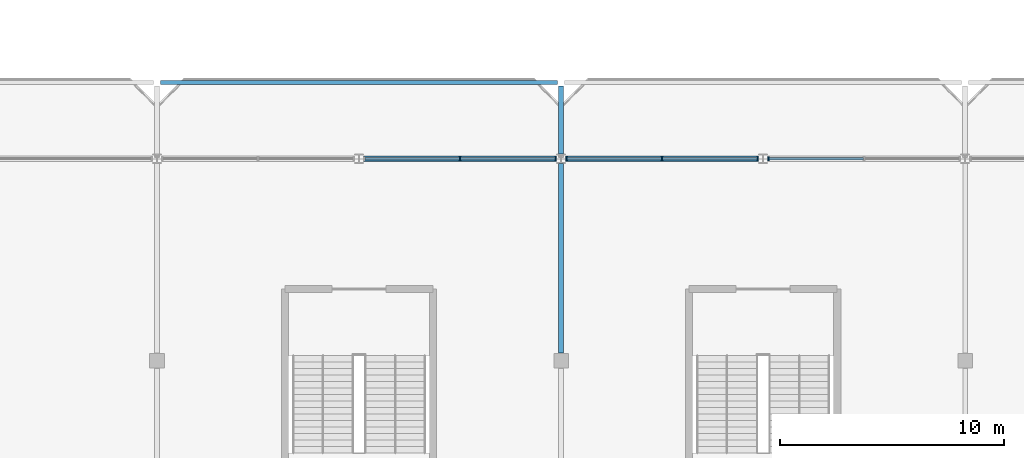
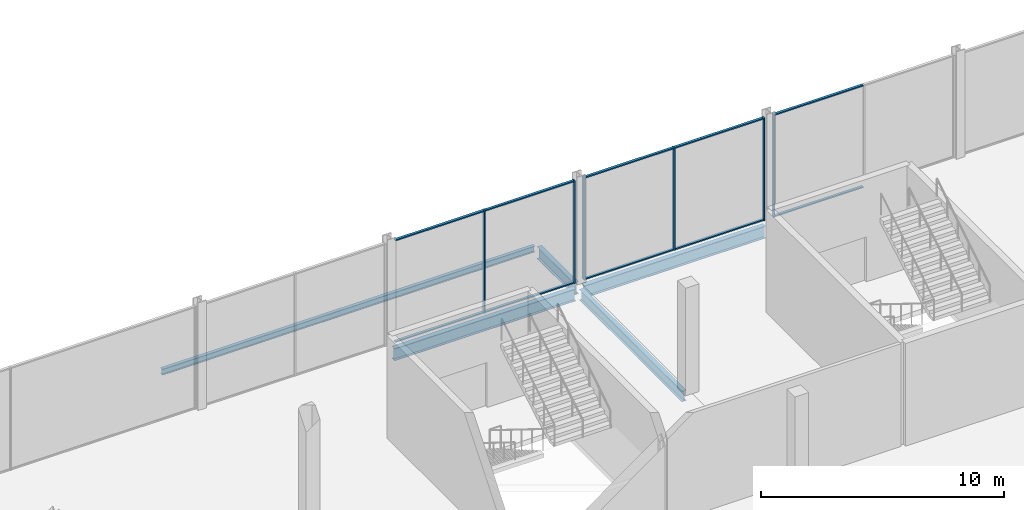
# One storey, part 25 of 113: 16 members, 5 beams, 3 elements without a shape of their own.
"""IFC4 building model written with IfcOpenShell, lengths in metres."""

from ifc_helpers import new_model, si_unit, direction, frame, origin, origin_2d, place, context, subcontext, project, spatial, rectangle, i_section, extrude, material, layer, layer_set, material_profile, profile_set, type_object, element, aggregate, save


model = new_model("IFC4")

# Units and contexts
model_context = context("Model", 3, precision=1e-05, world=origin(), true_north=direction((0.0, 1.0)))
body_context = subcontext(model_context, "Body", "Model", "MODEL_VIEW")
ifc_project = project(units=[si_unit("LENGTHUNIT", "METRE"), si_unit("AREAUNIT", "SQUARE_METRE"), si_unit("VOLUMEUNIT", "CUBIC_METRE"), si_unit("PLANEANGLEUNIT", "RADIAN"), si_unit("MASSUNIT", "GRAM", prefix="KILO")], contexts=[model_context])

# Site, building, storey
site_placement = place(None, origin())
site = spatial("IfcSite", under=ifc_project, at=site_placement, CompositionType="ELEMENT")
building_placement = place(site_placement, origin())
building = spatial("IfcBuilding", under=site, at=building_placement, Name="Kisiwana Market Hall", CompositionType="ELEMENT")
storey_placement = place(building_placement, frame((0.0, 0.0, 6.0)))
storey = spatial("IfcBuildingStorey", under=building, at=storey_placement, Name="L01", CompositionType="ELEMENT", Elevation=6.0)

# Beams
ifc_material_1 = material(Name="Steel S355", Category="steel")
ifc_material_profile_1 = material_profile(ifc_material_1, i_section(OverallWidth=0.2275390625, OverallDepth=0.6025390625, WebThickness=0.010498046875, FlangeThickness=0.014892578125, at=origin_2d()), Name="UB 610x229x101")
ifc_profile_set_1 = profile_set([ifc_material_profile_1], Name="Steel S355")
beam_type_1 = type_object("IfcBeamType", Name="BM-CANT-PROW", PredefinedType="BEAM", material=ifc_profile_set_1)
beam_1_placement = place(storey_placement, frame((99.0, 36.21337890625, -0.501220703125), z_axis=(0.0, 1.0, 0.0), x_axis=(-1.0, 0.0, 0.0)))
element("IfcBeam", 1, at=beam_1_placement, inside=storey, type_object=beam_type_1, Name="Gallery prow girder B-0585", PredefinedType="BEAM", context=body_context, shape_type="SweptSolid", body=[
    extrude(i_section(OverallWidth=0.2275390625, OverallDepth=0.6025390625, WebThickness=0.010498046875, FlangeThickness=0.014892578125, at=origin_2d()), origin(), (0.0, 0.0, 1.0), 3.03662109375),
])
ifc_material_2 = material(Name="Steel S355", Category="steel")
ifc_material_profile_2 = material_profile(ifc_material_2, i_section(OverallWidth=0.209228515625, OverallDepth=0.533203125, WebThickness=0.010009765625, FlangeThickness=0.015625, at=origin_2d()), Name="UB 533x210x92")
ifc_profile_set_2 = profile_set([ifc_material_profile_2], Name="Steel S355")
beam_type_2 = type_object("IfcBeamType", Name="BM-GIRD-UB533", PredefinedType="BEAM", material=ifc_profile_set_2)
beam_2_placement = place(storey_placement, frame((99.0, 27.345947265625, -0.5166015625), z_axis=(0.0, 1.0, 0.0), x_axis=(-1.0, 0.0, 0.0)))
element("IfcBeam", 2, at=beam_2_placement, inside=storey, type_object=beam_type_2, Name="Primary girder B-0375", PredefinedType="BEAM", context=body_context, shape_type="SweptSolid", body=[
    extrude(i_section(OverallWidth=0.209228515625, OverallDepth=0.533203125, WebThickness=0.010009765625, FlangeThickness=0.015625, at=origin_2d()), origin(), (0.0, 0.0, 1.0), 8.440673828125),
])
ifc_material_3 = material(Name="Steel S355", Category="steel")
ifc_material_profile_3 = material_profile(ifc_material_3, i_section(OverallWidth=0.22900390625, OverallDepth=0.6123046875, WebThickness=0.011962890625, FlangeThickness=0.01953125, at=origin_2d()), Name="UB 610x229x125")
ifc_profile_set_3 = profile_set([ifc_material_profile_3], Name="Steel S355")
beam_type_3 = type_object("IfcBeamType", Name="BM-GIRD-UB610H", PredefinedType="BEAM", material=ifc_profile_set_3)
for number, where, z_axis, x_axis, name in (
    (3, (90.201904296875, 36.0, -0.55615234375), (1.0, 0.0, 0.0), (0.0, 1.0, 0.0), "Floor beam B-0492"),
    (4, (99.201904296875, 36.0, -0.55615234375), (1.0, 0.0, 0.0), (0.0, 1.0, 0.0), "Floor beam B-0493"),
):
    element("IfcBeam", number, at=place(storey_placement, frame(where, z_axis=z_axis, x_axis=x_axis)), inside=storey, type_object=beam_type_3, Name=name, PredefinedType="BEAM", context=body_context, shape_type="SweptSolid", body=[
        extrude(i_section(OverallWidth=0.22900390625, OverallDepth=0.6123046875, WebThickness=0.011962890625, FlangeThickness=0.01953125, at=origin_2d()), origin(), (0.0, 0.0, 1.0), 8.59619140625),
    ])
ifc_material_4 = material(Name="Steel S355", Category="steel")
ifc_material_profile_4 = material_profile(ifc_material_4, i_section(OverallWidth=0.1650390625, OverallDepth=0.303466796875, WebThickness=0.006103515625, FlangeThickness=0.01025390625, at=origin_2d()), Name="UB 305x165x40")
ifc_profile_set_4 = profile_set([ifc_material_profile_4], Name="Steel S355")
beam_type_4 = type_object("IfcBeamType", Name="BM-JOIST-UB305", PredefinedType="JOIST", material=ifc_profile_set_4)
beam_3_placement = place(storey_placement, frame((81.159912109375, 39.39990234375, -0.351806640625), z_axis=(1.0, 0.0, 0.0), x_axis=(0.0, 1.0, 0.0)))
element("IfcBeam", 5, at=beam_3_placement, inside=storey, type_object=beam_type_4, Name="Prow edge tie B-0587", PredefinedType="JOIST", context=body_context, shape_type="SweptSolid", body=[
    extrude(i_section(OverallWidth=0.1650390625, OverallDepth=0.303466796875, WebThickness=0.006103515625, FlangeThickness=0.01025390625, at=origin_2d()), origin(), (0.0, 0.0, 1.0), 17.68017578125),
])

# Curtain wall, members
ifc_material_5 = material(Name="Double-glazed solar-control low-E IGU", Category="glass")
ifc_layer = layer(ifc_material_5, 0.159912109375)
ifc_layer_set = layer_set([ifc_layer], Name="CW-FC-N-8100")
curtain_wall_type = type_object("IfcCurtainWallType", Name="CW-FC-N-8100", PredefinedType="USERDEFINED", material=ifc_layer_set)
curtain_wall_1_placement = place(storey_placement, origin())
curtain_wall_1 = element("IfcCurtainWall", 6, at=curtain_wall_1_placement, inside=storey, type_object=curtain_wall_type, Name="Unitised curtain wall CW-020 (L01)", ObjectType="UNITISED CURTAIN WALL", PredefinedType="USERDEFINED")
ifc_material_6 = material(Name="Aluminium alloy 6063-T6", Category="aluminium")
ifc_material_profile_5 = material_profile(ifc_material_6, rectangle(XDim=0.06005859375, YDim=0.159912109375, at=origin_2d()), Name="ALU MULLION 60x160")
ifc_profile_set_5 = profile_set([ifc_material_profile_5], Name="Aluminium alloy 6063-T6")
member_type_1 = type_object("IfcMemberType", Name="CW-MULL-60x160", PredefinedType="MULLION", material=ifc_profile_set_5)
member_1_placement = place(storey_placement, frame((94.5, 36.0, 0.0), z_axis=(0.0, 0.0, 1.0), x_axis=(1.0, 0.0, 0.0)))
member_1 = element("IfcMember", 7, at=member_1_placement, type_object=member_type_1, Name="CW-020 mullion 2", PredefinedType="MULLION", context=body_context, shape_type="SweptSolid", body=[
    extrude(rectangle(XDim=0.06005859375, YDim=0.159912109375, at=origin_2d()), origin(), (0.0, 0.0, 1.0), 5.14990234375),
])
member_2_placement = place(storey_placement, frame((98.763916015625, 36.0, 0.0), z_axis=(0.0, 0.0, 1.0), x_axis=(1.0, 0.0, 0.0)))
member_2 = element("IfcMember", 8, at=member_2_placement, type_object=member_type_1, Name="CW-020 mullion 3", PredefinedType="MULLION", context=body_context, shape_type="SweptSolid", body=[
    extrude(rectangle(XDim=0.06005859375, YDim=0.159912109375, at=origin_2d()), origin(), (0.0, 0.0, 1.0), 5.14990234375),
])

curtain_wall_2_placement = place(storey_placement, origin())
curtain_wall_2 = element("IfcCurtainWall", 9, at=curtain_wall_2_placement, inside=storey, type_object=curtain_wall_type, Name="Unitised curtain wall CW-021 (L01)", ObjectType="UNITISED CURTAIN WALL", PredefinedType="USERDEFINED")
member_3_placement = place(storey_placement, frame((99.236083984375, 36.0, 0.0), z_axis=(0.0, 0.0, 1.0), x_axis=(1.0, 0.0, 0.0)))
member_3 = element("IfcMember", 10, at=member_3_placement, type_object=member_type_1, Name="CW-021 mullion 1", PredefinedType="MULLION", context=body_context, shape_type="SweptSolid", body=[
    extrude(rectangle(XDim=0.06005859375, YDim=0.159912109375, at=origin_2d()), origin(), (0.0, 0.0, 1.0), 5.14990234375),
])
member_4_placement = place(storey_placement, frame((103.5, 36.0, 0.0), z_axis=(0.0, 0.0, 1.0), x_axis=(1.0, 0.0, 0.0)))
member_4 = element("IfcMember", 11, at=member_4_placement, type_object=member_type_1, Name="CW-021 mullion 2", PredefinedType="MULLION", context=body_context, shape_type="SweptSolid", body=[
    extrude(rectangle(XDim=0.06005859375, YDim=0.159912109375, at=origin_2d()), origin(), (0.0, 0.0, 1.0), 5.14990234375),
])
member_5_placement = place(storey_placement, frame((107.763916015625, 36.0, 0.0), z_axis=(0.0, 0.0, 1.0), x_axis=(1.0, 0.0, 0.0)))
member_5 = element("IfcMember", 12, at=member_5_placement, type_object=member_type_1, Name="CW-021 mullion 3", PredefinedType="MULLION", context=body_context, shape_type="SweptSolid", body=[
    extrude(rectangle(XDim=0.06005859375, YDim=0.159912109375, at=origin_2d()), origin(), (0.0, 0.0, 1.0), 5.14990234375),
])

# Curtain wall, member
curtain_wall_3_placement = place(storey_placement, origin())
curtain_wall_3 = element("IfcCurtainWall", 13, at=curtain_wall_3_placement, inside=storey, type_object=curtain_wall_type, Name="Unitised curtain wall CW-022 (L01)", ObjectType="UNITISED CURTAIN WALL", PredefinedType="USERDEFINED")
member_6_placement = place(storey_placement, frame((108.236083984375, 36.0, 0.0), z_axis=(0.0, 0.0, 1.0), x_axis=(1.0, 0.0, 0.0)))
member_6 = element("IfcMember", 14, at=member_6_placement, type_object=member_type_1, Name="CW-022 mullion 1", PredefinedType="MULLION", context=body_context, shape_type="SweptSolid", body=[
    extrude(rectangle(XDim=0.06005859375, YDim=0.159912109375, at=origin_2d()), origin(), (0.0, 0.0, 1.0), 5.14990234375),
])

# Member
ifc_material_7 = material(Name="Aluminium alloy 6063-T6", Category="aluminium")
ifc_material_profile_6 = material_profile(ifc_material_7, rectangle(XDim=0.1201171875, YDim=0.06005859375, at=origin_2d()), Name="ALU TRANSOM 60x120")
ifc_profile_set_6 = profile_set([ifc_material_profile_6], Name="Aluminium alloy 6063-T6")
member_type_2 = type_object("IfcMemberType", Name="CW-TRAN-60x120", PredefinedType="USERDEFINED", material=ifc_profile_set_6)
member_7_placement = place(storey_placement, frame((90.26611328125, 36.0, 0.030029296875), z_axis=(1.0, 0.0, 0.0), x_axis=(0.0, 1.0, 0.0)))
member_7 = element("IfcMember", 15, at=member_7_placement, type_object=member_type_2, Name="CW-020 transom 1.1", ObjectType="TRANSOM", PredefinedType="USERDEFINED", context=body_context, shape_type="SweptSolid", body=[
    extrude(rectangle(XDim=0.1201171875, YDim=0.06005859375, at=origin_2d()), origin(), (0.0, 0.0, 1.0), 4.203857421875),
])

member_8_placement = place(storey_placement, frame((90.26611328125, 36.0, 5.1201171875), z_axis=(1.0, 0.0, 0.0), x_axis=(0.0, 1.0, 0.0)))
member_8 = element("IfcMember", 16, at=member_8_placement, type_object=member_type_2, Name="CW-020 transom 1.2", ObjectType="TRANSOM", PredefinedType="USERDEFINED", context=body_context, shape_type="SweptSolid", body=[
    extrude(rectangle(XDim=0.1201171875, YDim=0.06005859375, at=origin_2d()), origin(), (0.0, 0.0, 1.0), 4.203857421875),
])

member_9_placement = place(storey_placement, frame((94.530029296875, 36.0, 0.030029296875), z_axis=(1.0, 0.0, 0.0), x_axis=(0.0, 1.0, 0.0)))
member_9 = element("IfcMember", 17, at=member_9_placement, type_object=member_type_2, Name="CW-020 transom 2.1", ObjectType="TRANSOM", PredefinedType="USERDEFINED", context=body_context, shape_type="SweptSolid", body=[
    extrude(rectangle(XDim=0.1201171875, YDim=0.06005859375, at=origin_2d()), origin(), (0.0, 0.0, 1.0), 4.203857421875),
])

member_10_placement = place(storey_placement, frame((94.530029296875, 36.0, 5.1201171875), z_axis=(1.0, 0.0, 0.0), x_axis=(0.0, 1.0, 0.0)))
member_10 = element("IfcMember", 18, at=member_10_placement, type_object=member_type_2, Name="CW-020 transom 2.2", ObjectType="TRANSOM", PredefinedType="USERDEFINED", context=body_context, shape_type="SweptSolid", body=[
    extrude(rectangle(XDim=0.1201171875, YDim=0.06005859375, at=origin_2d()), origin(), (0.0, 0.0, 1.0), 4.203857421875),
])

aggregate(curtain_wall_1, [member_1, member_2, member_7, member_8, member_9, member_10])

member_11_placement = place(storey_placement, frame((99.26611328125, 36.0, 0.030029296875), z_axis=(1.0, 0.0, 0.0), x_axis=(0.0, 1.0, 0.0)))
member_11 = element("IfcMember", 19, at=member_11_placement, type_object=member_type_2, Name="CW-021 transom 1.1", ObjectType="TRANSOM", PredefinedType="USERDEFINED", context=body_context, shape_type="SweptSolid", body=[
    extrude(rectangle(XDim=0.1201171875, YDim=0.06005859375, at=origin_2d()), origin(), (0.0, 0.0, 1.0), 4.203857421875),
])

member_12_placement = place(storey_placement, frame((99.26611328125, 36.0, 5.1201171875), z_axis=(1.0, 0.0, 0.0), x_axis=(0.0, 1.0, 0.0)))
member_12 = element("IfcMember", 20, at=member_12_placement, type_object=member_type_2, Name="CW-021 transom 1.2", ObjectType="TRANSOM", PredefinedType="USERDEFINED", context=body_context, shape_type="SweptSolid", body=[
    extrude(rectangle(XDim=0.1201171875, YDim=0.06005859375, at=origin_2d()), origin(), (0.0, 0.0, 1.0), 4.203857421875),
])

member_13_placement = place(storey_placement, frame((103.530029296875, 36.0, 0.030029296875), z_axis=(1.0, 0.0, 0.0), x_axis=(0.0, 1.0, 0.0)))
member_13 = element("IfcMember", 21, at=member_13_placement, type_object=member_type_2, Name="CW-021 transom 2.1", ObjectType="TRANSOM", PredefinedType="USERDEFINED", context=body_context, shape_type="SweptSolid", body=[
    extrude(rectangle(XDim=0.1201171875, YDim=0.06005859375, at=origin_2d()), origin(), (0.0, 0.0, 1.0), 4.203857421875),
])

member_14_placement = place(storey_placement, frame((103.530029296875, 36.0, 5.1201171875), z_axis=(1.0, 0.0, 0.0), x_axis=(0.0, 1.0, 0.0)))
member_14 = element("IfcMember", 22, at=member_14_placement, type_object=member_type_2, Name="CW-021 transom 2.2", ObjectType="TRANSOM", PredefinedType="USERDEFINED", context=body_context, shape_type="SweptSolid", body=[
    extrude(rectangle(XDim=0.1201171875, YDim=0.06005859375, at=origin_2d()), origin(), (0.0, 0.0, 1.0), 4.203857421875),
])

aggregate(curtain_wall_2, [member_3, member_4, member_5, member_11, member_12, member_13, member_14])

member_15_placement = place(storey_placement, frame((108.26611328125, 36.0, 0.030029296875), z_axis=(1.0, 0.0, 0.0), x_axis=(0.0, 1.0, 0.0)))
member_15 = element("IfcMember", 23, at=member_15_placement, type_object=member_type_2, Name="CW-022 transom 1.1", ObjectType="TRANSOM", PredefinedType="USERDEFINED", context=body_context, shape_type="SweptSolid", body=[
    extrude(rectangle(XDim=0.1201171875, YDim=0.06005859375, at=origin_2d()), origin(), (0.0, 0.0, 1.0), 4.203857421875),
])

member_16_placement = place(storey_placement, frame((108.26611328125, 36.0, 5.1201171875), z_axis=(1.0, 0.0, 0.0), x_axis=(0.0, 1.0, 0.0)))
member_16 = element("IfcMember", 24, at=member_16_placement, type_object=member_type_2, Name="CW-022 transom 1.2", ObjectType="TRANSOM", PredefinedType="USERDEFINED", context=body_context, shape_type="SweptSolid", body=[
    extrude(rectangle(XDim=0.1201171875, YDim=0.06005859375, at=origin_2d()), origin(), (0.0, 0.0, 1.0), 4.203857421875),
])

aggregate(curtain_wall_3, [member_6, member_15, member_16])

save(model, "model.ifc")
